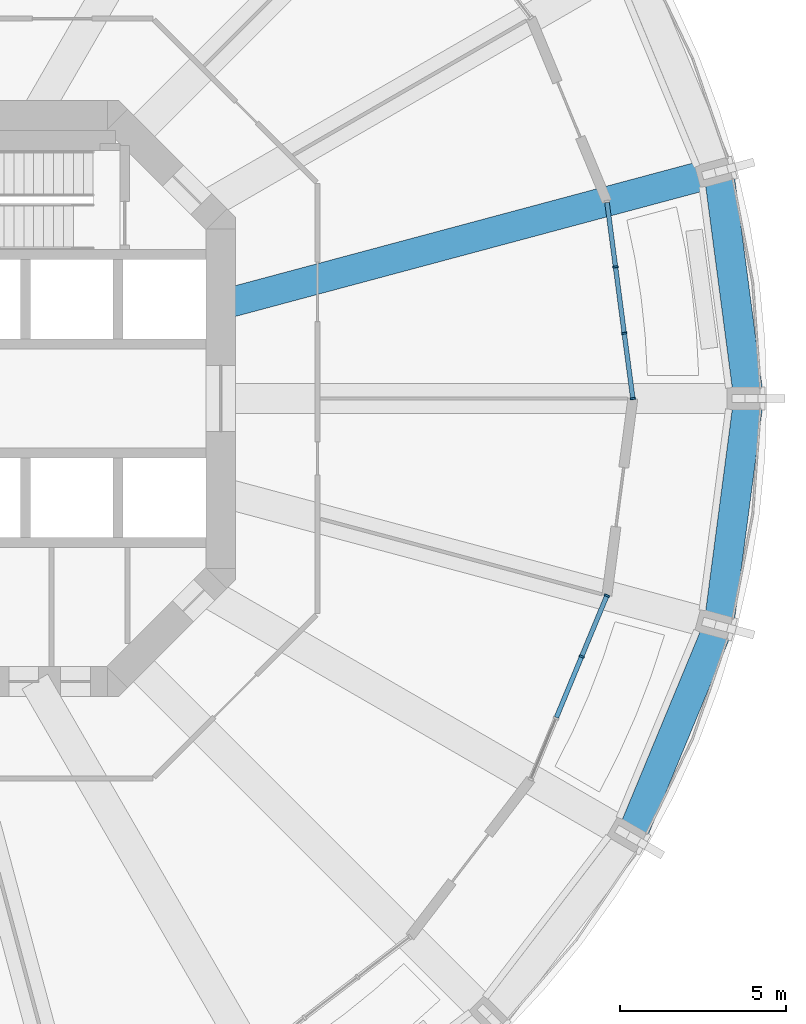
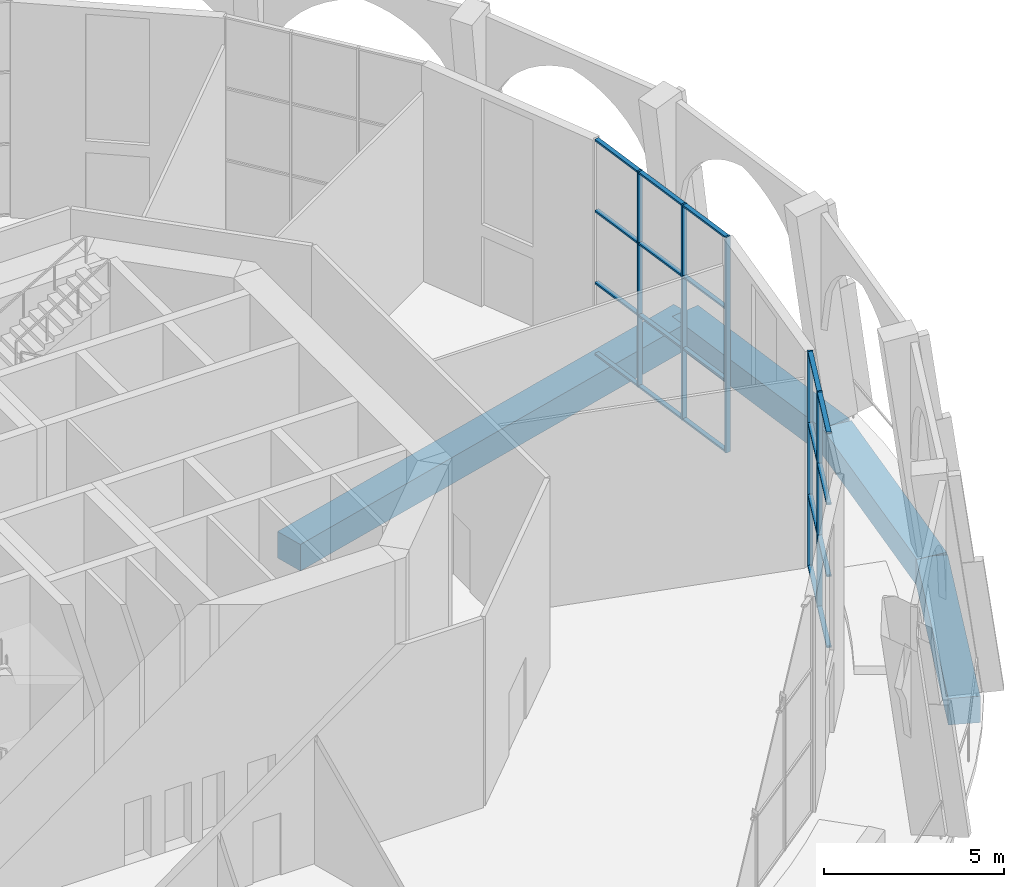
# One storey, part 6 of 19: 25 members, 4 beams, 2 elements without a shape of their own.
"""IFC4 building model written with IfcOpenShell, lengths in metres."""

import ifcopenshell
import ifcopenshell.guid

model = None  # the IFC model being written
_history = None  # IfcOwnerHistory: only IFC2X3 demands one
_inside = {}  # id of a spatial element -> (the spatial element, [elements in it])
_under = {}  # id of a project, library or spatial element -> (it, [spatial elements below it])
_declared = {}  # id of a project -> (the project, [libraries it declares])
_typed = {}  # id of a type object -> (the type object, [elements of that type])
_made_of = {}  # id of a material, layer set ... -> (it, [elements and type objects made of it])


def new_model(schema):
    """Start an empty IFC model of exactly this schema.

    Asked for "IFC4X3", IfcOpenShell would pick the latest addendum, in which some entities
    have other attributes; the version numbers below select the first issue.
    IFC2X3 requires an IfcOwnerHistory on every rooted entity: one is made here for all.
    """
    global model, _history
    if schema == "IFC4X3":
        model = ifcopenshell.file(schema_version=(4, 3, 0, 0))
    else:
        model = ifcopenshell.file(schema=schema)
    _inside.clear()
    _under.clear()
    _declared.clear()
    _typed.clear()
    _made_of.clear()
    _history = None
    if model.schema == "IFC2X3":
        org = make("IfcOrganization", Name="unknown")
        user = make(
            "IfcPersonAndOrganization",
            ThePerson=make("IfcPerson", FamilyName="unknown"),
            TheOrganization=org,
        )
        app = make(
            "IfcApplication",
            ApplicationDeveloper=org,
            Version="unknown",
            ApplicationFullName="unknown",
            ApplicationIdentifier="unknown",
        )
        _history = make(
            "IfcOwnerHistory",
            OwningUser=user,
            OwningApplication=app,
            ChangeAction="ADDED",
            CreationDate=0,
        )
    return model


def make(cls, **values):
    """One entity of the class cls with the attributes given. An attribute that is None is left unset."""
    return model.create_entity(
        cls, **{name: value for name, value in values.items() if value is not None}
    )


def rooted(cls, **values):
    """An entity with a GlobalId (a new one), such as an element, a storey or a relation."""
    return make(cls, GlobalId=ifcopenshell.guid.new(), OwnerHistory=_history, **values)


def si_unit(unit_type, name, prefix=None):
    """IfcSIUnit, for example si_unit("LENGTHUNIT", "METRE", prefix="MILLI")."""
    return make("IfcSIUnit", UnitType=unit_type, Prefix=prefix, Name=name)


def assignment(units):
    """IfcUnitAssignment: the units of a project."""
    return None if units is None else make("IfcUnitAssignment", Units=units)


def point(xyz):
    """IfcCartesianPoint."""
    return None if xyz is None else make("IfcCartesianPoint", Coordinates=xyz)


def direction(xyz):
    """IfcDirection."""
    return None if xyz is None else make("IfcDirection", DirectionRatios=xyz)


def frame(location, z_axis=None, x_axis=None):
    """IfcAxis2Placement3D, a coordinate frame: its origin and axes. An axis left out is left unset."""
    return make(
        "IfcAxis2Placement3D",
        Location=point(location),
        Axis=direction(z_axis),
        RefDirection=direction(x_axis),
    )


def frame_2d(location, x_axis=None):
    """IfcAxis2Placement2D, a coordinate frame in the plane: its origin and x axis."""
    return make(
        "IfcAxis2Placement2D", Location=point(location), RefDirection=direction(x_axis)
    )


def origin():
    """The frame at (0, 0, 0) with its axes left unset."""
    return frame((0.0, 0.0, 0.0))


def origin_2d():
    """The frame at (0, 0) in the plane with its x axis left unset."""
    return frame_2d((0.0, 0.0))


def place(relative_to, where):
    """IfcLocalPlacement: puts the frame where relative to a parent placement (None: the world)."""
    return make(
        "IfcLocalPlacement", PlacementRelTo=relative_to, RelativePlacement=where
    )


def context(
    kind, dimensions, precision=None, world=None, true_north=None, identifier=None
):
    """IfcGeometricRepresentationContext, for example the 3D "Model" context."""
    return make(
        "IfcGeometricRepresentationContext",
        ContextIdentifier=identifier,
        ContextType=kind,
        CoordinateSpaceDimension=dimensions,
        Precision=precision,
        WorldCoordinateSystem=world,
        TrueNorth=true_north,
    )


def subcontext(parent, identifier, kind, view, scale=None):
    """IfcGeometricRepresentationSubContext, for example "Body" below "Model"."""
    return make(
        "IfcGeometricRepresentationSubContext",
        ContextIdentifier=identifier,
        ContextType=kind,
        ParentContext=parent,
        TargetScale=scale,
        TargetView=view,
    )


def project(units=None, contexts=None):
    """IfcProject with its units and contexts."""
    return rooted(
        "IfcProject",
        Name="project",
        RepresentationContexts=contexts,
        UnitsInContext=assignment(units),
    )


def spatial(cls, under=None, at=None, **own):
    """A site, building, storey or space (cls), placed at a placement, below another one or the project."""
    s = rooted(cls, ObjectPlacement=at, **own)
    if under is not None:
        _under.setdefault(under.id(), (under, []))[1].append(s)
    return s


def profile(cls, at=None, kind="AREA", **sizes):
    """A parametric profile (cls). Its sizes go by their IFC names, for example OverallWidth=200.0."""
    return make(cls, ProfileType=kind, Position=at, **sizes)


def rectangle(**sizes):
    """IfcRectangleProfileDef."""
    return profile("IfcRectangleProfileDef", **sizes)


def extrude(swept, where, along, depth):
    """IfcExtrudedAreaSolid: the profile swept, set in the frame where, extruded along a direction by depth."""
    return make(
        "IfcExtrudedAreaSolid",
        SweptArea=swept,
        Position=where,
        ExtrudedDirection=direction(along),
        Depth=depth,
    )


def shape(context_of_items, identifier, shape_type, items):
    """IfcShapeRepresentation: the items that make up one representation, for example the "Body"."""
    return make(
        "IfcShapeRepresentation",
        ContextOfItems=context_of_items,
        RepresentationIdentifier=identifier,
        RepresentationType=shape_type,
        Items=items,
    )


def material(Name=None, Category=None):
    """IfcMaterial."""
    return make("IfcMaterial", Name=Name, Category=Category)


def material_profile(
    of_material, cross_section, Name=None, Category=None, Priority=None
):
    """IfcMaterialProfile: a cross section and its material."""
    return make(
        "IfcMaterialProfile",
        Name=Name,
        Material=of_material,
        Profile=cross_section,
        Priority=Priority,
        Category=Category,
    )


def profile_set(profiles, Name=None, composite=None):
    """IfcMaterialProfileSet."""
    return make(
        "IfcMaterialProfileSet",
        Name=Name,
        MaterialProfiles=profiles,
        CompositeProfile=composite,
    )


def made_of(thing, what):
    """Note that an element or type object is made of a material, layer set ...; save() writes the relation."""
    if what is not None:
        _made_of.setdefault(what.id(), (what, []))[1].append(thing)
    return thing


def type_object(cls, material=None, **own):
    """A type object (cls), such as IfcWallType, which elements share."""
    return made_of(rooted(cls, **own), material)


def element(
    cls,
    number,
    at=None,
    inside=None,
    cuts=None,
    type_object=None,
    material=None,
    context=None,
    identifier="Body",
    shape_type=None,
    held_by="IfcProductDefinitionShape",
    body=None,
    shapes=None,
    **own,
):
    """One element of the class cls, such as IfcWall. Its Tag is "e" and its number.

    at: its placement. inside: the storey or other place that contains it. cuts: it is an
    opening in that element (IfcRelVoidsElement). A single representation is given by context,
    identifier, shape_type and body (its items); several are given by shapes. held_by: the class
    of the entity that holds the representations. save() writes the other relations.
    """
    e = rooted(cls, Tag="e%d" % number, ObjectPlacement=at, **own)
    if body is not None:
        shapes = [shape(context, identifier, shape_type, body)]
    if shapes is not None:
        e.Representation = make(held_by, Representations=shapes)
    if inside is not None:
        _inside.setdefault(inside.id(), (inside, []))[1].append(e)
    if cuts is not None:
        rooted(
            "IfcRelVoidsElement", RelatingBuildingElement=cuts, RelatedOpeningElement=e
        )
    if type_object is not None:
        _typed.setdefault(type_object.id(), (type_object, []))[1].append(e)
    return made_of(e, material)


def aggregate(whole, parts):
    """IfcRelAggregates: a whole, such as a stair, and the parts it consists of."""
    return rooted("IfcRelAggregates", RelatingObject=whole, RelatedObjects=parts)


def save(model, path):
    """Write the relations noted so far, then the file.

    IfcRelAggregates (storeys below a building ...), IfcRelContainedInSpatialStructure (elements
    in a storey), IfcRelDefinesByType, IfcRelAssociatesMaterial and IfcRelDeclares: one each for
    every whole, place, type object, material and project.
    """
    for whole, parts in _under.values():
        aggregate(whole, parts)
    for where, things in _inside.values():
        rooted(
            "IfcRelContainedInSpatialStructure",
            RelatedElements=things,
            RelatingStructure=where,
        )
    for kind, things in _typed.values():
        rooted("IfcRelDefinesByType", RelatedObjects=things, RelatingType=kind)
    for what, things in _made_of.values():
        rooted("IfcRelAssociatesMaterial", RelatedObjects=things, RelatingMaterial=what)
    for by, libraries in _declared.values():
        rooted("IfcRelDeclares", RelatingContext=by, RelatedDefinitions=libraries)
    model.write(path)


model = new_model("IFC4")

# Units and contexts
model_context = context("Model", 3, precision=1e-05, world=origin(), true_north=direction((0.0, 1.0)))
body_context = subcontext(model_context, "Body", "Model", "MODEL_VIEW")
ifc_project = project(units=[si_unit("LENGTHUNIT", "METRE"), si_unit("AREAUNIT", "SQUARE_METRE"), si_unit("VOLUMEUNIT", "CUBIC_METRE"), si_unit("PLANEANGLEUNIT", "RADIAN"), si_unit("MASSUNIT", "GRAM", prefix="KILO")], contexts=[model_context])

# Site, building, storey
site_placement = place(None, origin())
site = spatial("IfcSite", under=ifc_project, at=site_placement, CompositionType="ELEMENT")
building_placement = place(site_placement, origin())
building = spatial("IfcBuilding", under=site, at=building_placement, Name="Torre Triforio", CompositionType="ELEMENT")
storey_placement = place(building_placement, frame((0.0, 0.0, 79.0)))
storey = spatial("IfcBuildingStorey", under=building, at=storey_placement, Name="L17", CompositionType="ELEMENT", Elevation=79.0)

# Curtain wall, members
ifc_material_1 = material(Name="Aluminium mullion and transom frame with clear laminated glass", Category="aluminium")
curtain_wall_type = type_object("IfcCurtainWallType", Name="Sky garden conservatory wall ECW3", PredefinedType="NOTDEFINED", material=ifc_material_1)
curtain_wall_1_placement = place(storey_placement, origin())
curtain_wall_1 = element("IfcCurtainWall", 1, at=curtain_wall_1_placement, inside=storey, type_object=curtain_wall_type, Name="Conservatory wall L17 bay 01", PredefinedType="NOTDEFINED")
ifc_material_2 = material(Name="Anodised aluminium extrusion", Category="aluminium")
ifc_material_profile_1 = material_profile(ifc_material_2, rectangle(XDim=0.159912109375, YDim=0.06005859375, at=origin_2d()), Name="ECW3 MULLION 60x160")
ifc_profile_set_1 = profile_set([ifc_material_profile_1], Name="Anodised aluminium extrusion")
member_type_1 = type_object("IfcMemberType", Name="ECW3 mullion 60 x 160", PredefinedType="MULLION", material=ifc_profile_set_1)
member_1_placement = place(storey_placement, frame((23.0, 0.0, 0.0), z_axis=(0.0, 0.0, 1.0), x_axis=(-0.991445593559, -0.130520630599, 0.0)))
member_1 = element("IfcMember", 2, at=member_1_placement, type_object=member_type_1, Name="ECW3 mullion 1", PredefinedType="MULLION", context=body_context, shape_type="SweptSolid", body=[
    extrude(rectangle(XDim=0.159912109375, YDim=0.06005859375, at=origin_2d()), origin(), (0.0, 0.0, 1.0), 7.320068359375),
])
member_2_placement = place(storey_placement, frame((22.739990234375, 1.974365234375, 0.0), z_axis=(0.0, 0.0, 1.0), x_axis=(-0.991445593559, -0.130520630599, 0.0)))
member_2 = element("IfcMember", 3, at=member_2_placement, type_object=member_type_1, Name="ECW3 mullion 2", PredefinedType="MULLION", context=body_context, shape_type="SweptSolid", body=[
    extrude(rectangle(XDim=0.159912109375, YDim=0.06005859375, at=origin_2d()), origin(), (0.0, 0.0, 1.0), 7.320068359375),
])
member_3_placement = place(storey_placement, frame((22.476318359375, 3.978515625, 0.0), z_axis=(0.0, 0.0, 1.0), x_axis=(-0.991445593559, -0.130520630599, 0.0)))
member_3 = element("IfcMember", 4, at=member_3_placement, type_object=member_type_1, Name="ECW3 mullion 3", PredefinedType="MULLION", context=body_context, shape_type="SweptSolid", body=[
    extrude(rectangle(XDim=0.159912109375, YDim=0.06005859375, at=origin_2d()), origin(), (0.0, 0.0, 1.0), 7.320068359375),
])

curtain_wall_2_placement = place(storey_placement, origin())
curtain_wall_2 = element("IfcCurtainWall", 5, at=curtain_wall_2_placement, inside=storey, type_object=curtain_wall_type, Name="Conservatory wall L17 bay 23", PredefinedType="NOTDEFINED")
member_4_placement = place(storey_placement, frame((21.454345703125, -7.792724609375, 0.0), z_axis=(0.0, 0.0, 1.0), x_axis=(-0.923877952799, 0.382687246105, 0.0)))
member_4 = element("IfcMember", 6, at=member_4_placement, type_object=member_type_1, Name="ECW3 mullion 3", PredefinedType="MULLION", context=body_context, shape_type="SweptSolid", body=[
    extrude(rectangle(XDim=0.159912109375, YDim=0.06005859375, at=origin_2d()), origin(), (0.0, 0.0, 1.0), 7.320068359375),
])
member_5_placement = place(storey_placement, frame((22.21630859375, -5.952880859375, 0.0), z_axis=(0.0, 0.0, 1.0), x_axis=(-0.923877952799, 0.382687246105, 0.0)))
member_5 = element("IfcMember", 7, at=member_5_placement, type_object=member_type_1, Name="ECW3 mullion 4", PredefinedType="MULLION", context=body_context, shape_type="SweptSolid", body=[
    extrude(rectangle(XDim=0.159912109375, YDim=0.06005859375, at=origin_2d()), origin(), (0.0, 0.0, 1.0), 7.320068359375),
])

# Member
ifc_material_profile_2 = material_profile(ifc_material_2, rectangle(XDim=0.139892578125, YDim=0.06005859375, at=origin_2d()), Name="ECW3 TRANSOM 60x140")
ifc_profile_set_2 = profile_set([ifc_material_profile_2], Name="Anodised aluminium extrusion")
member_type_2 = type_object("IfcMemberType", Name="ECW3 transom 60 x 140", PredefinedType="USERDEFINED", material=ifc_profile_set_2)
member_6_placement = place(storey_placement, frame((22.99609375, 0.02978515625, 0.030029296875), z_axis=(-0.130582040663, 0.991437507186, 0.0), x_axis=(-0.991437507186, -0.130582040663, 0.0)))
member_6 = element("IfcMember", 8, at=member_6_placement, type_object=member_type_2, Name="ECW3 transom 1.1", ObjectType="TRANSOM", PredefinedType="USERDEFINED", context=body_context, shape_type="SweptSolid", body=[
    extrude(rectangle(XDim=0.139892578125, YDim=0.06005859375, at=origin_2d()), origin(), (0.0, 0.0, 1.0), 1.931396484375),
])

member_7_placement = place(storey_placement, frame((22.99609375, 0.02978515625, 2.43994140625), z_axis=(-0.130582040663, 0.991437507186, 0.0), x_axis=(-0.991437507186, -0.130582040663, 0.0)))
member_7 = element("IfcMember", 9, at=member_7_placement, type_object=member_type_2, Name="ECW3 transom 1.2", ObjectType="TRANSOM", PredefinedType="USERDEFINED", context=body_context, shape_type="SweptSolid", body=[
    extrude(rectangle(XDim=0.139892578125, YDim=0.06005859375, at=origin_2d()), origin(), (0.0, 0.0, 1.0), 1.931396484375),
])

member_8_placement = place(storey_placement, frame((22.99609375, 0.02978515625, 4.8798828125), z_axis=(-0.130582040663, 0.991437507186, 0.0), x_axis=(-0.991437507186, -0.130582040663, 0.0)))
member_8 = element("IfcMember", 10, at=member_8_placement, type_object=member_type_2, Name="ECW3 transom 1.3", ObjectType="TRANSOM", PredefinedType="USERDEFINED", context=body_context, shape_type="SweptSolid", body=[
    extrude(rectangle(XDim=0.139892578125, YDim=0.06005859375, at=origin_2d()), origin(), (0.0, 0.0, 1.0), 1.931396484375),
])

member_9_placement = place(storey_placement, frame((22.99609375, 0.02978515625, 7.2900390625), z_axis=(-0.130582040663, 0.991437507186, 0.0), x_axis=(-0.991437507186, -0.130582040663, 0.0)))
member_9 = element("IfcMember", 11, at=member_9_placement, type_object=member_type_2, Name="ECW3 transom 1.4", ObjectType="TRANSOM", PredefinedType="USERDEFINED", context=body_context, shape_type="SweptSolid", body=[
    extrude(rectangle(XDim=0.139892578125, YDim=0.06005859375, at=origin_2d()), origin(), (0.0, 0.0, 1.0), 1.931396484375),
])

member_10_placement = place(storey_placement, frame((22.736083984375, 2.004150390625, 0.030029296875), z_axis=(-0.130451292622, 0.991454719215, 0.0), x_axis=(-0.991454719215, -0.130451292622, 0.0)))
member_10 = element("IfcMember", 12, at=member_10_placement, type_object=member_type_2, Name="ECW3 transom 2.1", ObjectType="TRANSOM", PredefinedType="USERDEFINED", context=body_context, shape_type="SweptSolid", body=[
    extrude(rectangle(XDim=0.139892578125, YDim=0.06005859375, at=origin_2d()), origin(), (0.0, 0.0, 1.0), 1.96142578125),
])

member_11_placement = place(storey_placement, frame((22.736083984375, 2.004150390625, 2.43994140625), z_axis=(-0.130451292622, 0.991454719215, 0.0), x_axis=(-0.991454719215, -0.130451292622, 0.0)))
member_11 = element("IfcMember", 13, at=member_11_placement, type_object=member_type_2, Name="ECW3 transom 2.2", ObjectType="TRANSOM", PredefinedType="USERDEFINED", context=body_context, shape_type="SweptSolid", body=[
    extrude(rectangle(XDim=0.139892578125, YDim=0.06005859375, at=origin_2d()), origin(), (0.0, 0.0, 1.0), 1.96142578125),
])

member_12_placement = place(storey_placement, frame((22.736083984375, 2.004150390625, 4.8798828125), z_axis=(-0.130451292622, 0.991454719215, 0.0), x_axis=(-0.991454719215, -0.130451292622, 0.0)))
member_12 = element("IfcMember", 14, at=member_12_placement, type_object=member_type_2, Name="ECW3 transom 2.3", ObjectType="TRANSOM", PredefinedType="USERDEFINED", context=body_context, shape_type="SweptSolid", body=[
    extrude(rectangle(XDim=0.139892578125, YDim=0.06005859375, at=origin_2d()), origin(), (0.0, 0.0, 1.0), 1.96142578125),
])

member_13_placement = place(storey_placement, frame((22.736083984375, 2.004150390625, 7.2900390625), z_axis=(-0.130451292622, 0.991454719215, 0.0), x_axis=(-0.991454719215, -0.130451292622, 0.0)))
member_13 = element("IfcMember", 15, at=member_13_placement, type_object=member_type_2, Name="ECW3 transom 2.4", ObjectType="TRANSOM", PredefinedType="USERDEFINED", context=body_context, shape_type="SweptSolid", body=[
    extrude(rectangle(XDim=0.139892578125, YDim=0.06005859375, at=origin_2d()), origin(), (0.0, 0.0, 1.0), 1.96142578125),
])

member_14_placement = place(storey_placement, frame((22.472412109375, 4.00830078125, 0.030029296875), z_axis=(-0.130582040663, 0.991437507186, 0.0), x_axis=(-0.991437507186, -0.130582040663, 0.0)))
member_14 = element("IfcMember", 16, at=member_14_placement, type_object=member_type_2, Name="ECW3 transom 3.1", ObjectType="TRANSOM", PredefinedType="USERDEFINED", context=body_context, shape_type="SweptSolid", body=[
    extrude(rectangle(XDim=0.139892578125, YDim=0.06005859375, at=origin_2d()), origin(), (0.0, 0.0, 1.0), 1.931396484375),
])

member_15_placement = place(storey_placement, frame((22.472412109375, 4.00830078125, 2.43994140625), z_axis=(-0.130582040663, 0.991437507186, 0.0), x_axis=(-0.991437507186, -0.130582040663, 0.0)))
member_15 = element("IfcMember", 17, at=member_15_placement, type_object=member_type_2, Name="ECW3 transom 3.2", ObjectType="TRANSOM", PredefinedType="USERDEFINED", context=body_context, shape_type="SweptSolid", body=[
    extrude(rectangle(XDim=0.139892578125, YDim=0.06005859375, at=origin_2d()), origin(), (0.0, 0.0, 1.0), 1.931396484375),
])

member_16_placement = place(storey_placement, frame((22.472412109375, 4.00830078125, 4.8798828125), z_axis=(-0.130582040663, 0.991437507186, 0.0), x_axis=(-0.991437507186, -0.130582040663, 0.0)))
member_16 = element("IfcMember", 18, at=member_16_placement, type_object=member_type_2, Name="ECW3 transom 3.3", ObjectType="TRANSOM", PredefinedType="USERDEFINED", context=body_context, shape_type="SweptSolid", body=[
    extrude(rectangle(XDim=0.139892578125, YDim=0.06005859375, at=origin_2d()), origin(), (0.0, 0.0, 1.0), 1.931396484375),
])

member_17_placement = place(storey_placement, frame((22.472412109375, 4.00830078125, 7.2900390625), z_axis=(-0.130582040663, 0.991437507186, 0.0), x_axis=(-0.991437507186, -0.130582040663, 0.0)))
member_17 = element("IfcMember", 19, at=member_17_placement, type_object=member_type_2, Name="ECW3 transom 3.4", ObjectType="TRANSOM", PredefinedType="USERDEFINED", context=body_context, shape_type="SweptSolid", body=[
    extrude(rectangle(XDim=0.139892578125, YDim=0.06005859375, at=origin_2d()), origin(), (0.0, 0.0, 1.0), 1.931396484375),
])

aggregate(curtain_wall_1, [member_1, member_2, member_3, member_6, member_7, member_8, member_9, member_10, member_11, member_12, member_13, member_14, member_15, member_16, member_17])

member_18_placement = place(storey_placement, frame((20.692138671875, -9.632568359375, 0.030029296875), z_axis=(0.38271452944, 0.923866651068, 0.0), x_axis=(-0.923866651068, 0.38271452944, 0.0)))
member_18 = element("IfcMember", 20, at=member_18_placement, type_object=member_type_2, Name="ECW3 transom 2.1", ObjectType="TRANSOM", PredefinedType="USERDEFINED", context=body_context, shape_type="SweptSolid", body=[
    extrude(rectangle(XDim=0.139892578125, YDim=0.06005859375, at=origin_2d()), origin(), (0.0, 0.0, 1.0), 1.961669921875),
])

member_19_placement = place(storey_placement, frame((20.692138671875, -9.632568359375, 2.43994140625), z_axis=(0.38271452944, 0.923866651068, 0.0), x_axis=(-0.923866651068, 0.38271452944, 0.0)))
member_19 = element("IfcMember", 21, at=member_19_placement, type_object=member_type_2, Name="ECW3 transom 2.2", ObjectType="TRANSOM", PredefinedType="USERDEFINED", context=body_context, shape_type="SweptSolid", body=[
    extrude(rectangle(XDim=0.139892578125, YDim=0.06005859375, at=origin_2d()), origin(), (0.0, 0.0, 1.0), 1.961669921875),
])

member_20_placement = place(storey_placement, frame((20.692138671875, -9.632568359375, 4.8798828125), z_axis=(0.38271452944, 0.923866651068, 0.0), x_axis=(-0.923866651068, 0.38271452944, 0.0)))
member_20 = element("IfcMember", 22, at=member_20_placement, type_object=member_type_2, Name="ECW3 transom 2.3", ObjectType="TRANSOM", PredefinedType="USERDEFINED", context=body_context, shape_type="SweptSolid", body=[
    extrude(rectangle(XDim=0.139892578125, YDim=0.06005859375, at=origin_2d()), origin(), (0.0, 0.0, 1.0), 1.961669921875),
])

member_21_placement = place(storey_placement, frame((20.692138671875, -9.632568359375, 7.2900390625), z_axis=(0.38271452944, 0.923866651068, 0.0), x_axis=(-0.923866651068, 0.38271452944, 0.0)))
member_21 = element("IfcMember", 23, at=member_21_placement, type_object=member_type_2, Name="ECW3 transom 2.4", ObjectType="TRANSOM", PredefinedType="USERDEFINED", context=body_context, shape_type="SweptSolid", body=[
    extrude(rectangle(XDim=0.139892578125, YDim=0.06005859375, at=origin_2d()), origin(), (0.0, 0.0, 1.0), 1.961669921875),
])

member_22_placement = place(storey_placement, frame((21.4658203125, -7.764892578125, 0.030029296875), z_axis=(0.382630895081, 0.923901292417, 0.0), x_axis=(-0.923901292417, 0.382630895081, 0.0)))
member_22 = element("IfcMember", 24, at=member_22_placement, type_object=member_type_2, Name="ECW3 transom 3.1", ObjectType="TRANSOM", PredefinedType="USERDEFINED", context=body_context, shape_type="SweptSolid", body=[
    extrude(rectangle(XDim=0.139892578125, YDim=0.06005859375, at=origin_2d()), origin(), (0.0, 0.0, 1.0), 1.931396484375),
])

member_23_placement = place(storey_placement, frame((21.4658203125, -7.764892578125, 2.43994140625), z_axis=(0.382630895081, 0.923901292417, 0.0), x_axis=(-0.923901292417, 0.382630895081, 0.0)))
member_23 = element("IfcMember", 25, at=member_23_placement, type_object=member_type_2, Name="ECW3 transom 3.2", ObjectType="TRANSOM", PredefinedType="USERDEFINED", context=body_context, shape_type="SweptSolid", body=[
    extrude(rectangle(XDim=0.139892578125, YDim=0.06005859375, at=origin_2d()), origin(), (0.0, 0.0, 1.0), 1.931396484375),
])

member_24_placement = place(storey_placement, frame((21.4658203125, -7.764892578125, 4.8798828125), z_axis=(0.382630895081, 0.923901292417, 0.0), x_axis=(-0.923901292417, 0.382630895081, 0.0)))
member_24 = element("IfcMember", 26, at=member_24_placement, type_object=member_type_2, Name="ECW3 transom 3.3", ObjectType="TRANSOM", PredefinedType="USERDEFINED", context=body_context, shape_type="SweptSolid", body=[
    extrude(rectangle(XDim=0.139892578125, YDim=0.06005859375, at=origin_2d()), origin(), (0.0, 0.0, 1.0), 1.931396484375),
])

member_25_placement = place(storey_placement, frame((21.4658203125, -7.764892578125, 7.2900390625), z_axis=(0.382630895081, 0.923901292417, 0.0), x_axis=(-0.923901292417, 0.382630895081, 0.0)))
member_25 = element("IfcMember", 27, at=member_25_placement, type_object=member_type_2, Name="ECW3 transom 3.4", ObjectType="TRANSOM", PredefinedType="USERDEFINED", context=body_context, shape_type="SweptSolid", body=[
    extrude(rectangle(XDim=0.139892578125, YDim=0.06005859375, at=origin_2d()), origin(), (0.0, 0.0, 1.0), 1.931396484375),
])

aggregate(curtain_wall_2, [member_4, member_5, member_18, member_19, member_20, member_21, member_22, member_23, member_24, member_25])

# Beams
ifc_material_3 = material(Name="Concrete C50", Category="concrete")
ifc_material_profile_3 = material_profile(ifc_material_3, rectangle(XDim=0.89990234375, YDim=0.89990234375, at=origin_2d()), Name="RC 900x900")
ifc_profile_set_3 = profile_set([ifc_material_profile_3], Name="Concrete C50")
beam_type_1 = type_object("IfcBeamType", Name="Radial beam RC 900x900 C50", PredefinedType="BEAM", material=ifc_profile_set_3)
beam_1_placement = place(storey_placement, frame((10.550048828125, 2.826904296875, -0.72998046875), z_axis=(0.965926784764, 0.258815467997, 0.0), x_axis=(-0.258815467997, 0.965926784764, 0.0)))
element("IfcBeam", 28, at=beam_1_placement, inside=storey, type_object=beam_type_1, Name="BM.R.L17.01", PredefinedType="BEAM", context=body_context, shape_type="SweptSolid", body=[
    extrude(rectangle(XDim=0.89990234375, YDim=0.89990234375, at=origin_2d()), origin(), (0.0, 0.0, 1.0), 15.57763671875),
])
ifc_material_profile_4 = material_profile(ifc_material_3, rectangle(XDim=0.89990234375, YDim=0.89990234375, at=origin_2d()), Name="RC 900x900")
ifc_profile_set_4 = profile_set([ifc_material_profile_4], Name="Concrete C50")
beam_type_2 = type_object("IfcBeamType", Name="Spandrel beam RC 900x900 C50", PredefinedType="SPANDREL", material=ifc_profile_set_4)
beam_2_placement = place(storey_placement, frame((26.5, 0.0, -0.72998046875), z_axis=(-0.130543064996, 0.991442639885, 0.0), x_axis=(-0.991442639885, -0.130543064996, 0.0)))
element("IfcBeam", 29, at=beam_2_placement, inside=storey, type_object=beam_type_2, Name="BM.S.L17.00", PredefinedType="SPANDREL", context=body_context, shape_type="SweptSolid", body=[
    extrude(rectangle(XDim=0.89990234375, YDim=0.89990234375, at=origin_2d()), origin(), (0.0, 0.0, 1.0), 6.917724609375),
])
beam_3_placement = place(storey_placement, frame((22.94970703125, -13.25, -0.72998046875), z_axis=(0.382662441128, 0.923888227087, 0.0), x_axis=(-0.923888227087, 0.382662441128, 0.0)))
element("IfcBeam", 30, at=beam_3_placement, inside=storey, type_object=beam_type_2, Name="BM.S.L17.22", PredefinedType="SPANDREL", context=body_context, shape_type="SweptSolid", body=[
    extrude(rectangle(XDim=0.89990234375, YDim=0.89990234375, at=origin_2d()), origin(), (0.0, 0.0, 1.0), 6.91796875),
])
beam_4_placement = place(storey_placement, frame((25.596923828125, -6.858642578125, -0.72998046875), z_axis=(0.130543064996, 0.991442639885, 0.0), x_axis=(-0.991442639885, 0.130543064996, 0.0)))
element("IfcBeam", 31, at=beam_4_placement, inside=storey, type_object=beam_type_2, Name="BM.S.L17.23", PredefinedType="SPANDREL", context=body_context, shape_type="SweptSolid", body=[
    extrude(rectangle(XDim=0.89990234375, YDim=0.89990234375, at=origin_2d()), origin(), (0.0, 0.0, 1.0), 6.917724609375),
])

save(model, "model.ifc")
